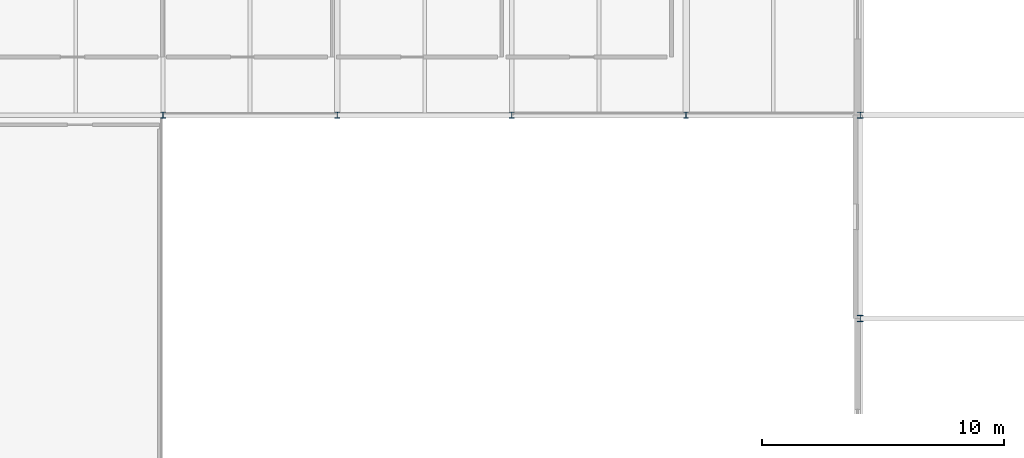
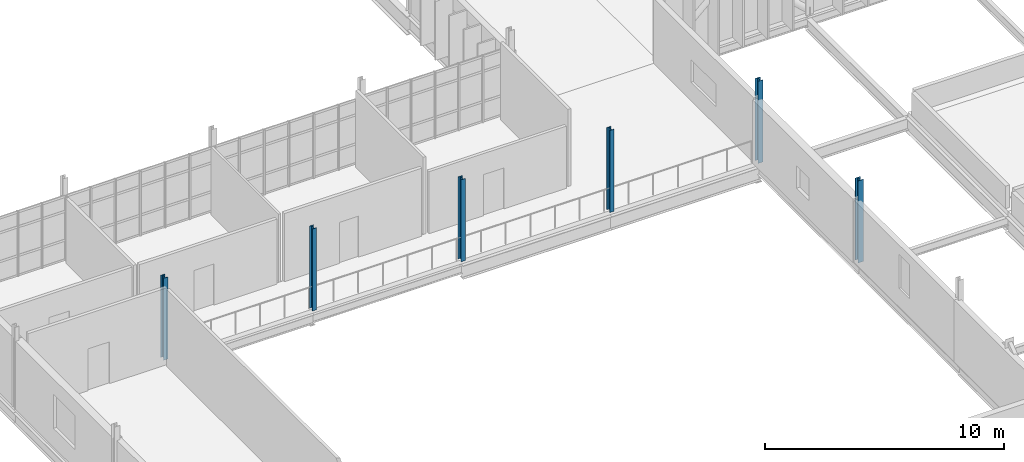
# One storey, part 8 of 119: 6 columns.
"""IFC4 building model written with IfcOpenShell, lengths in metres."""

from ifc_helpers import new_model, si_unit, direction, frame, origin, origin_2d, place, context, subcontext, project, spatial, i_section, extrude, material, material_profile, profile_set, type_object, element, save


model = new_model("IFC4")

# Units and contexts
model_context = context("Model", 3, precision=1e-05, world=origin(), true_north=direction((0.0, 1.0)))
body_context = subcontext(model_context, "Body", "Model", "MODEL_VIEW")
ifc_project = project(units=[si_unit("LENGTHUNIT", "METRE"), si_unit("AREAUNIT", "SQUARE_METRE"), si_unit("VOLUMEUNIT", "CUBIC_METRE"), si_unit("PLANEANGLEUNIT", "RADIAN"), si_unit("MASSUNIT", "GRAM", prefix="KILO")], contexts=[model_context])

# Site, building, storey
site_placement = place(None, origin())
site = spatial("IfcSite", under=ifc_project, at=site_placement, CompositionType="ELEMENT")
building_placement = place(site_placement, origin())
building = spatial("IfcBuilding", under=site, at=building_placement, Name="Qelthora Terrace Specialist Clinic", CompositionType="ELEMENT")
storey_placement = place(building_placement, frame((0.0, 0.0, 4.800048828125)))
storey = spatial("IfcBuildingStorey", under=building, at=storey_placement, Name="L01", CompositionType="ELEMENT", Elevation=4.800048828125)

# Columns
ifc_material = material(Name="Steel S355", Category="steel")
ifc_material_profile_1 = material_profile(ifc_material, i_section(OverallWidth=0.2041015625, OverallDepth=0.257080078125, WebThickness=0.0087890625, FlangeThickness=0.015625, FilletRadius=0.012939453125, at=origin_2d()), Name="W250X67")
ifc_profile_set_1 = profile_set([ifc_material_profile_1], Name="Steel S355")
column_type_1 = type_object("IfcColumnType", Name="COL-W250X67", PredefinedType="COLUMN", material=ifc_profile_set_1)
for number, where, z_axis, x_axis, name in (
    (1, (64.800048828125, 25.199951171875, 0.0), (0.0, 0.0, 1.0), (1.0, 0.0, 0.0), "Column L01-115"),
    (2, (72.0, 25.199951171875, 0.0), (0.0, 0.0, 1.0), (1.0, 0.0, 0.0), "Column L01-123"),
    (3, (79.199951171875, 25.199951171875, 0.0), (0.0, 0.0, 1.0), (1.0, 0.0, 0.0), "Column L01-131"),
    (4, (86.39990234375, 25.199951171875, 0.0), (0.0, 0.0, 1.0), (1.0, 0.0, 0.0), "Column L01-139"),
):
    element("IfcColumn", number, at=place(storey_placement, frame(where, z_axis=z_axis, x_axis=x_axis)), inside=storey, type_object=column_type_1, Name=name, PredefinedType="COLUMN", context=body_context, shape_type="SweptSolid", body=[
        extrude(i_section(OverallWidth=0.2041015625, OverallDepth=0.257080078125, WebThickness=0.0087890625, FlangeThickness=0.015625, FilletRadius=0.012939453125, at=origin_2d()), origin(), (0.0, 0.0, 1.0), 4.199951171875),
    ])
ifc_material_profile_2 = material_profile(ifc_material, i_section(OverallWidth=0.25390625, OverallDepth=0.2529296875, WebThickness=0.008544921875, FlangeThickness=0.01416015625, FilletRadius=0.012939453125, at=origin_2d()), Name="W250X73")
ifc_profile_set_2 = profile_set([ifc_material_profile_2], Name="Steel S355")
column_type_2 = type_object("IfcColumnType", Name="COL-W250X73", PredefinedType="COLUMN", material=ifc_profile_set_2)
column_1_placement = place(storey_placement, frame((93.60009765625, 25.199951171875, 0.0), z_axis=(0.0, 0.0, 1.0), x_axis=(1.0, 0.0, 0.0)))
element("IfcColumn", 5, at=column_1_placement, inside=storey, type_object=column_type_2, Name="Column L01-150", PredefinedType="COLUMN", context=body_context, shape_type="SweptSolid", body=[
    extrude(i_section(OverallWidth=0.25390625, OverallDepth=0.2529296875, WebThickness=0.008544921875, FlangeThickness=0.01416015625, FilletRadius=0.012939453125, at=origin_2d()), origin(), (0.0, 0.0, 1.0), 4.199951171875),
])
ifc_material_profile_3 = material_profile(ifc_material, i_section(OverallWidth=0.2548828125, OverallDepth=0.256103515625, WebThickness=0.009521484375, FlangeThickness=0.015625, FilletRadius=0.012939453125, at=origin_2d()), Name="W250X80")
ifc_profile_set_3 = profile_set([ifc_material_profile_3], Name="Steel S355")
column_type_3 = type_object("IfcColumnType", Name="COL-W250X80", PredefinedType="COLUMN", material=ifc_profile_set_3)
column_2_placement = place(storey_placement, frame((93.60009765625, 16.800048828125, 0.0), z_axis=(0.0, 0.0, 1.0), x_axis=(1.0, 0.0, 0.0)))
element("IfcColumn", 6, at=column_2_placement, inside=storey, type_object=column_type_3, Name="Column L01-149", PredefinedType="COLUMN", context=body_context, shape_type="SweptSolid", body=[
    extrude(i_section(OverallWidth=0.2548828125, OverallDepth=0.256103515625, WebThickness=0.009521484375, FlangeThickness=0.015625, FilletRadius=0.012939453125, at=origin_2d()), origin(), (0.0, 0.0, 1.0), 4.199951171875),
])

save(model, "model.ifc")
